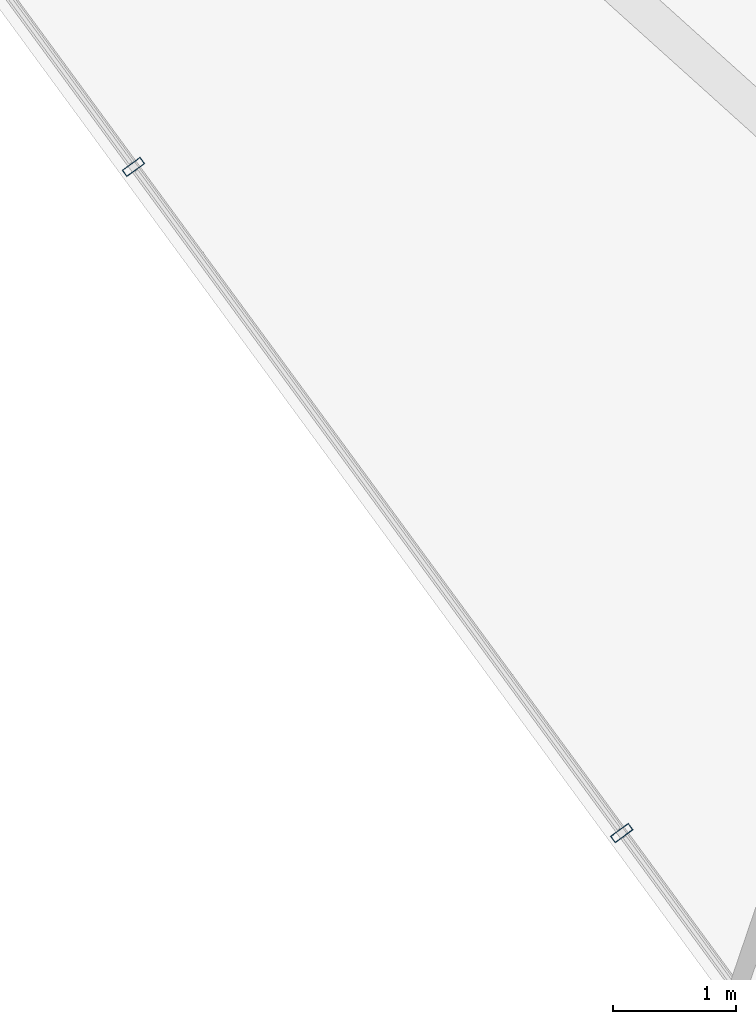
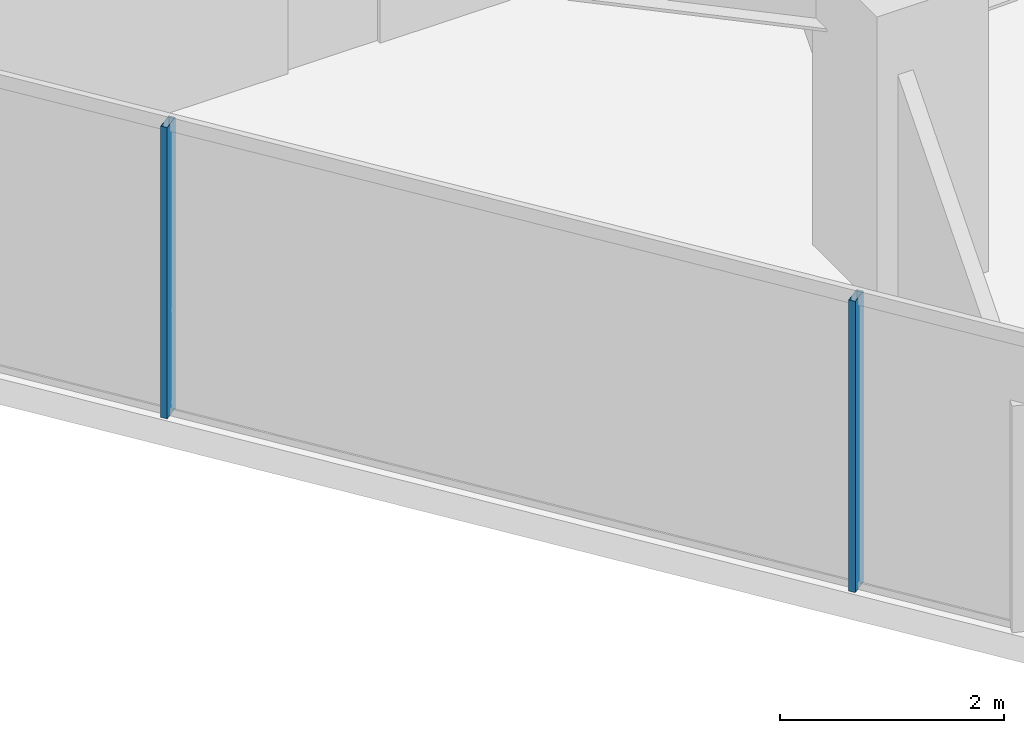
# One storey, part 2 of 30: 2 members, 1 element without a shape of its own.
"""IFC4 building model written with IfcOpenShell, lengths in metres."""

from ifc_helpers import new_model, si_unit, direction, frame, origin, origin_2d, place, context, subcontext, project, spatial, hollow_rectangle, extrude, material, layer, layer_set, material_profile, profile_set, type_object, element, aggregate, save


model = new_model("IFC4")

# Units and contexts
model_context = context("Model", 3, precision=1e-05, world=origin(), true_north=direction((0.0, 1.0)))
body_context = subcontext(model_context, "Body", "Model", "MODEL_VIEW")
ifc_project = project(units=[si_unit("LENGTHUNIT", "METRE"), si_unit("AREAUNIT", "SQUARE_METRE"), si_unit("VOLUMEUNIT", "CUBIC_METRE"), si_unit("PLANEANGLEUNIT", "RADIAN"), si_unit("MASSUNIT", "GRAM", prefix="KILO")], contexts=[model_context])

# Site, building, storey
site_placement = place(None, origin())
site = spatial("IfcSite", under=ifc_project, at=site_placement, CompositionType="ELEMENT")
building_placement = place(site_placement, origin())
building = spatial("IfcBuilding", under=site, at=building_placement, Name="Qarnah Convention Tower", CompositionType="ELEMENT")
storey_placement = place(building_placement, frame((0.0, 0.0, 90.14990234375)))
storey = spatial("IfcBuildingStorey", under=building, at=storey_placement, Name="L23", CompositionType="ELEMENT", Elevation=90.14990234375)

# Curtain wall, members
ifc_material_1 = material(Name="Tempered Low-E dark glass", Category="glass")
ifc_layer = layer(ifc_material_1, 0.169921875)
ifc_layer_set = layer_set([ifc_layer], Name="Tempered Low-E dark glass")
curtain_wall_type = type_object("IfcCurtainWallType", Name="CWS-02", PredefinedType="NOTDEFINED", material=ifc_layer_set)
curtain_wall_placement = place(storey_placement, origin())
curtain_wall = element("IfcCurtainWall", 1, at=curtain_wall_placement, inside=storey, type_object=curtain_wall_type, Name="L23 unitised curtain wall CW-L23-F3", PredefinedType="NOTDEFINED")
ifc_material_2 = material(Name="Black anodised aluminium", Category="aluminium")
ifc_material_profile = material_profile(ifc_material_2, hollow_rectangle(XDim=0.06494140625, YDim=0.179931640625, WallThickness=0.00390625, at=origin_2d()), Name="MUL-65X180")
ifc_profile_set = profile_set([ifc_material_profile], Name="Black anodised aluminium")
member_type = type_object("IfcMemberType", Name="MUL-T2", PredefinedType="MULLION", material=ifc_profile_set)
member_1_placement = place(storey_placement, frame((29.46630859375, 7.288330078125, 0.0), z_axis=(0.0, 0.0, 1.0), x_axis=(-0.591160568734, 0.806553892789, 0.0)))
member_1 = element("IfcMember", 2, at=member_1_placement, type_object=member_type, Name="CW-L23-F3 mullion 2", PredefinedType="MULLION", context=body_context, shape_type="SweptSolid", body=[
    extrude(hollow_rectangle(XDim=0.06494140625, YDim=0.179931640625, WallThickness=0.00390625, at=origin_2d()), origin(), (0.0, 0.0, 1.0), 3.170166015625),
])
member_2_placement = place(storey_placement, frame((25.50390625, 12.69482421875, 0.0), z_axis=(0.0, 0.0, 1.0), x_axis=(-0.591160568734, 0.806553892789, 0.0)))
member_2 = element("IfcMember", 3, at=member_2_placement, type_object=member_type, Name="CW-L23-F3 mullion 3", PredefinedType="MULLION", context=body_context, shape_type="SweptSolid", body=[
    extrude(hollow_rectangle(XDim=0.06494140625, YDim=0.179931640625, WallThickness=0.00390625, at=origin_2d()), origin(), (0.0, 0.0, 1.0), 3.170166015625),
])
aggregate(curtain_wall, [member_1, member_2])

save(model, "model.ifc")
